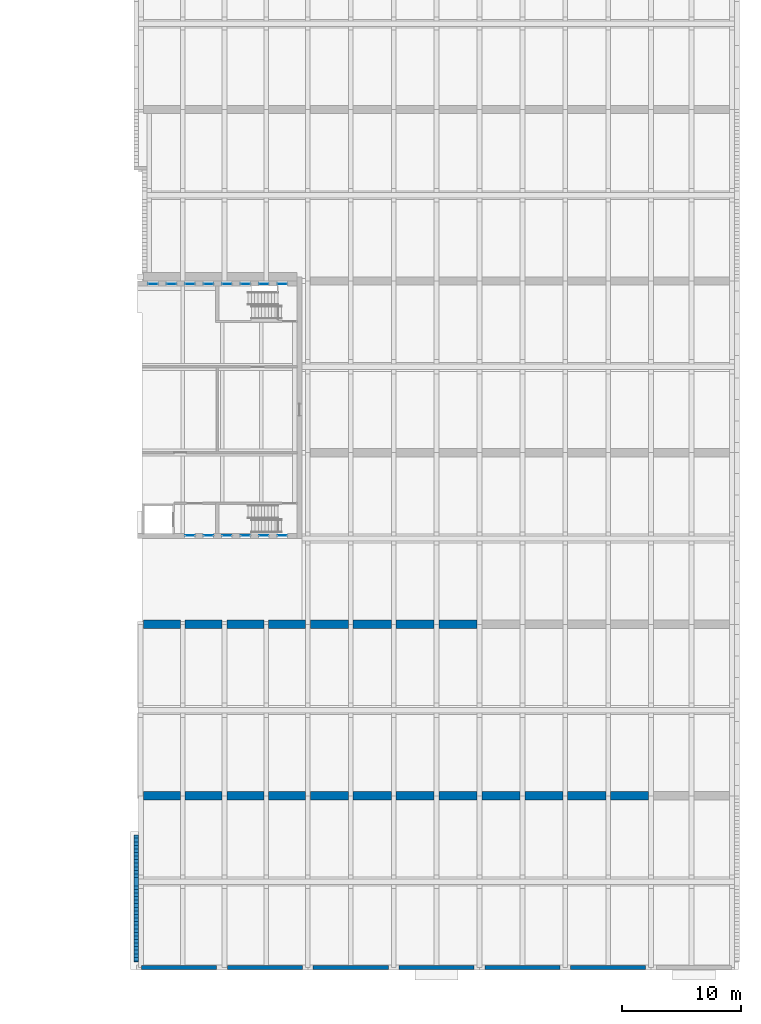
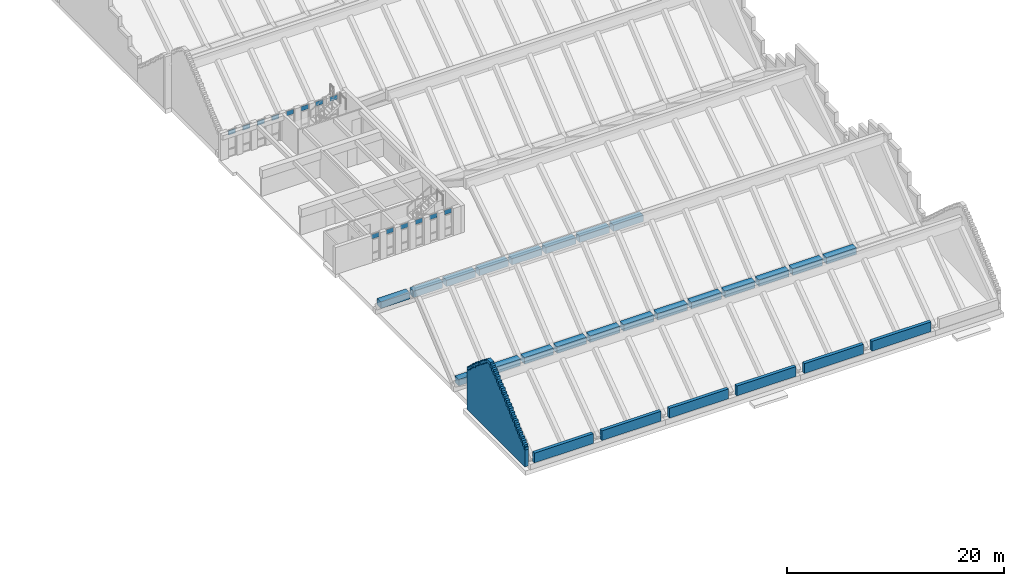
# One storey, part 22 of 31: 28 walls, 14 plates, 14 elements without a shape of their own.
"""IFC4 building model written with IfcOpenShell, lengths in metres."""

from ifc_helpers import new_model, si_unit, direction, frame, frame_2d, origin, origin_2d, place, context, subcontext, project, spatial, polyline, rectangle, outline, extrude, material, layer, layer_set, type_object, element, aggregate, save


model = new_model("IFC4")

# Units and contexts
model_context = context("Model", 3, precision=1e-05, world=origin(), true_north=direction((0.0, 1.0)))
body_context = subcontext(model_context, "Body", "Model", "MODEL_VIEW")
ifc_project = project(units=[si_unit("LENGTHUNIT", "METRE"), si_unit("AREAUNIT", "SQUARE_METRE"), si_unit("VOLUMEUNIT", "CUBIC_METRE"), si_unit("PLANEANGLEUNIT", "RADIAN"), si_unit("MASSUNIT", "GRAM", prefix="KILO")], contexts=[model_context])

# Site, building, storey
site_placement = place(None, origin())
site = spatial("IfcSite", under=ifc_project, at=site_placement, CompositionType="ELEMENT")
building_placement = place(site_placement, origin())
building = spatial("IfcBuilding", under=site, at=building_placement, Name="Vermilion Court Aquatics Centre", CompositionType="ELEMENT")
storey_placement = place(building_placement, frame((0.0, 0.0, 16.5)))
storey = spatial("IfcBuildingStorey", under=building, at=storey_placement, Name="L03", CompositionType="ELEMENT", Elevation=16.5)

# Curtain wall, plate
ifc_material_1 = material(Name="Aluminium 6063-T5", Category="aluminium")
curtain_wall_type = type_object("IfcCurtainWallType", Name="Diving Tower slot curtain wall 900 module", PredefinedType="NOTDEFINED", material=ifc_material_1)
curtain_wall_1_placement = place(storey_placement, origin())
curtain_wall_1 = element("IfcCurtainWall", 1, at=curtain_wall_1_placement, inside=storey, type_object=curtain_wall_type, Name="Diving Tower slot window north 1 L03", PredefinedType="NOTDEFINED")
ifc_material_2 = material(Name="Glazing", Category="glass")
ifc_layer_1 = layer(ifc_material_2, 0.02392578125)
ifc_layer_set_1 = layer_set([ifc_layer_1], Name="Diving Tower slot glazing panel 24")
plate_type = type_object("IfcPlateType", Name="Diving Tower slot glazing panel 24", PredefinedType="CURTAIN_PANEL", material=ifc_layer_set_1)
plate_1_placement = place(storey_placement, frame((145.39990234375, 57.35009765625, 2.47998046875), z_axis=(0.0, 0.0, 1.0), x_axis=(1.0, 0.0, 0.0)))
plate_1 = element("IfcPlate", 2, at=plate_1_placement, type_object=plate_type, Name="UCW3 panel 1.3", PredefinedType="CURTAIN_PANEL", context=body_context, shape_type="SweptSolid", body=[
    extrude(rectangle(XDim=0.780029296875, YDim=0.028076171875, at=origin_2d()), origin(), (0.0, 0.0, 1.0), 0.510009765625),
])
aggregate(curtain_wall_1, [plate_1])

curtain_wall_2_placement = place(storey_placement, origin())
curtain_wall_2 = element("IfcCurtainWall", 3, at=curtain_wall_2_placement, inside=storey, type_object=curtain_wall_type, Name="Diving Tower slot window north 2 L03", PredefinedType="NOTDEFINED")
plate_2_placement = place(storey_placement, frame((146.949951171875, 57.35009765625, 2.47998046875), z_axis=(0.0, 0.0, 1.0), x_axis=(1.0, 0.0, 0.0)))
plate_2 = element("IfcPlate", 4, at=plate_2_placement, type_object=plate_type, Name="UCW3 panel 1.3", PredefinedType="CURTAIN_PANEL", context=body_context, shape_type="SweptSolid", body=[
    extrude(rectangle(XDim=0.780029296875, YDim=0.028076171875, at=origin_2d()), origin(), (0.0, 0.0, 1.0), 0.510009765625),
])
aggregate(curtain_wall_2, [plate_2])

curtain_wall_3_placement = place(storey_placement, origin())
curtain_wall_3 = element("IfcCurtainWall", 5, at=curtain_wall_3_placement, inside=storey, type_object=curtain_wall_type, Name="Diving Tower slot window north 3 L03", PredefinedType="NOTDEFINED")
plate_3_placement = place(storey_placement, frame((148.5, 57.35009765625, 2.47998046875), z_axis=(0.0, 0.0, 1.0), x_axis=(1.0, 0.0, 0.0)))
plate_3 = element("IfcPlate", 6, at=plate_3_placement, type_object=plate_type, Name="UCW3 panel 1.3", PredefinedType="CURTAIN_PANEL", context=body_context, shape_type="SweptSolid", body=[
    extrude(rectangle(XDim=0.780029296875, YDim=0.028076171875, at=origin_2d()), origin(), (0.0, 0.0, 1.0), 0.510009765625),
])
aggregate(curtain_wall_3, [plate_3])

curtain_wall_4_placement = place(storey_placement, origin())
curtain_wall_4 = element("IfcCurtainWall", 7, at=curtain_wall_4_placement, inside=storey, type_object=curtain_wall_type, Name="Diving Tower slot window north 4 L03", PredefinedType="NOTDEFINED")
plate_4_placement = place(storey_placement, frame((150.050048828125, 57.35009765625, 2.47998046875), z_axis=(0.0, 0.0, 1.0), x_axis=(1.0, 0.0, 0.0)))
plate_4 = element("IfcPlate", 8, at=plate_4_placement, type_object=plate_type, Name="UCW3 panel 1.3", PredefinedType="CURTAIN_PANEL", context=body_context, shape_type="SweptSolid", body=[
    extrude(rectangle(XDim=0.780029296875, YDim=0.028076171875, at=origin_2d()), origin(), (0.0, 0.0, 1.0), 0.510009765625),
])
aggregate(curtain_wall_4, [plate_4])

curtain_wall_5_placement = place(storey_placement, origin())
curtain_wall_5 = element("IfcCurtainWall", 9, at=curtain_wall_5_placement, inside=storey, type_object=curtain_wall_type, Name="Diving Tower slot window north 5 L03", PredefinedType="NOTDEFINED")
plate_5_placement = place(storey_placement, frame((151.60009765625, 57.35009765625, 2.47998046875), z_axis=(0.0, 0.0, 1.0), x_axis=(1.0, 0.0, 0.0)))
plate_5 = element("IfcPlate", 10, at=plate_5_placement, type_object=plate_type, Name="UCW3 panel 1.3", PredefinedType="CURTAIN_PANEL", context=body_context, shape_type="SweptSolid", body=[
    extrude(rectangle(XDim=0.780029296875, YDim=0.028076171875, at=origin_2d()), origin(), (0.0, 0.0, 1.0), 0.510009765625),
])
aggregate(curtain_wall_5, [plate_5])

curtain_wall_6_placement = place(storey_placement, origin())
curtain_wall_6 = element("IfcCurtainWall", 11, at=curtain_wall_6_placement, inside=storey, type_object=curtain_wall_type, Name="Diving Tower slot window north 6 L03", PredefinedType="NOTDEFINED")
plate_6_placement = place(storey_placement, frame((153.14990234375, 57.35009765625, 2.47998046875), z_axis=(0.0, 0.0, 1.0), x_axis=(1.0, 0.0, 0.0)))
plate_6 = element("IfcPlate", 12, at=plate_6_placement, type_object=plate_type, Name="UCW3 panel 1.3", PredefinedType="CURTAIN_PANEL", context=body_context, shape_type="SweptSolid", body=[
    extrude(rectangle(XDim=0.780029296875, YDim=0.028076171875, at=origin_2d()), origin(), (0.0, 0.0, 1.0), 0.510009765625),
])
aggregate(curtain_wall_6, [plate_6])

curtain_wall_7_placement = place(storey_placement, origin())
curtain_wall_7 = element("IfcCurtainWall", 13, at=curtain_wall_7_placement, inside=storey, type_object=curtain_wall_type, Name="Diving Tower slot window north 7 L03", PredefinedType="NOTDEFINED")
plate_7_placement = place(storey_placement, frame((154.699951171875, 57.35009765625, 2.47998046875), z_axis=(0.0, 0.0, 1.0), x_axis=(1.0, 0.0, 0.0)))
plate_7 = element("IfcPlate", 14, at=plate_7_placement, type_object=plate_type, Name="UCW3 panel 1.3", PredefinedType="CURTAIN_PANEL", context=body_context, shape_type="SweptSolid", body=[
    extrude(rectangle(XDim=0.780029296875, YDim=0.028076171875, at=origin_2d()), origin(), (0.0, 0.0, 1.0), 0.510009765625),
])
aggregate(curtain_wall_7, [plate_7])

curtain_wall_8_placement = place(storey_placement, origin())
curtain_wall_8 = element("IfcCurtainWall", 15, at=curtain_wall_8_placement, inside=storey, type_object=curtain_wall_type, Name="Diving Tower slot window north 8 L03", PredefinedType="NOTDEFINED")
plate_8_placement = place(storey_placement, frame((156.25, 57.35009765625, 2.47998046875), z_axis=(0.0, 0.0, 1.0), x_axis=(1.0, 0.0, 0.0)))
plate_8 = element("IfcPlate", 16, at=plate_8_placement, type_object=plate_type, Name="UCW3 panel 1.3", PredefinedType="CURTAIN_PANEL", context=body_context, shape_type="SweptSolid", body=[
    extrude(rectangle(XDim=0.780029296875, YDim=0.028076171875, at=origin_2d()), origin(), (0.0, 0.0, 1.0), 0.510009765625),
])
aggregate(curtain_wall_8, [plate_8])

curtain_wall_9_placement = place(storey_placement, origin())
curtain_wall_9 = element("IfcCurtainWall", 17, at=curtain_wall_9_placement, inside=storey, type_object=curtain_wall_type, Name="Diving Tower slot window south 1 L03", PredefinedType="NOTDEFINED")
plate_9_placement = place(storey_placement, frame((148.5, 36.25, 2.47998046875), z_axis=(0.0, 0.0, 1.0), x_axis=(1.0, 0.0, 0.0)))
plate_9 = element("IfcPlate", 18, at=plate_9_placement, type_object=plate_type, Name="UCW3 panel 1.3", PredefinedType="CURTAIN_PANEL", context=body_context, shape_type="SweptSolid", body=[
    extrude(rectangle(XDim=0.780029296875, YDim=0.028076171875, at=origin_2d()), origin(), (0.0, 0.0, 1.0), 0.510009765625),
])
aggregate(curtain_wall_9, [plate_9])

curtain_wall_10_placement = place(storey_placement, origin())
curtain_wall_10 = element("IfcCurtainWall", 19, at=curtain_wall_10_placement, inside=storey, type_object=curtain_wall_type, Name="Diving Tower slot window south 2 L03", PredefinedType="NOTDEFINED")
plate_10_placement = place(storey_placement, frame((150.050048828125, 36.25, 2.47998046875), z_axis=(0.0, 0.0, 1.0), x_axis=(1.0, 0.0, 0.0)))
plate_10 = element("IfcPlate", 20, at=plate_10_placement, type_object=plate_type, Name="UCW3 panel 1.3", PredefinedType="CURTAIN_PANEL", context=body_context, shape_type="SweptSolid", body=[
    extrude(rectangle(XDim=0.780029296875, YDim=0.028076171875, at=origin_2d()), origin(), (0.0, 0.0, 1.0), 0.510009765625),
])
aggregate(curtain_wall_10, [plate_10])

curtain_wall_11_placement = place(storey_placement, origin())
curtain_wall_11 = element("IfcCurtainWall", 21, at=curtain_wall_11_placement, inside=storey, type_object=curtain_wall_type, Name="Diving Tower slot window south 3 L03", PredefinedType="NOTDEFINED")
plate_11_placement = place(storey_placement, frame((151.60009765625, 36.25, 2.47998046875), z_axis=(0.0, 0.0, 1.0), x_axis=(1.0, 0.0, 0.0)))
plate_11 = element("IfcPlate", 22, at=plate_11_placement, type_object=plate_type, Name="UCW3 panel 1.3", PredefinedType="CURTAIN_PANEL", context=body_context, shape_type="SweptSolid", body=[
    extrude(rectangle(XDim=0.780029296875, YDim=0.028076171875, at=origin_2d()), origin(), (0.0, 0.0, 1.0), 0.510009765625),
])
aggregate(curtain_wall_11, [plate_11])

curtain_wall_12_placement = place(storey_placement, origin())
curtain_wall_12 = element("IfcCurtainWall", 23, at=curtain_wall_12_placement, inside=storey, type_object=curtain_wall_type, Name="Diving Tower slot window south 4 L03", PredefinedType="NOTDEFINED")
plate_12_placement = place(storey_placement, frame((153.14990234375, 36.25, 2.47998046875), z_axis=(0.0, 0.0, 1.0), x_axis=(1.0, 0.0, 0.0)))
plate_12 = element("IfcPlate", 24, at=plate_12_placement, type_object=plate_type, Name="UCW3 panel 1.3", PredefinedType="CURTAIN_PANEL", context=body_context, shape_type="SweptSolid", body=[
    extrude(rectangle(XDim=0.780029296875, YDim=0.028076171875, at=origin_2d()), origin(), (0.0, 0.0, 1.0), 0.510009765625),
])
aggregate(curtain_wall_12, [plate_12])

curtain_wall_13_placement = place(storey_placement, origin())
curtain_wall_13 = element("IfcCurtainWall", 25, at=curtain_wall_13_placement, inside=storey, type_object=curtain_wall_type, Name="Diving Tower slot window south 5 L03", PredefinedType="NOTDEFINED")
plate_13_placement = place(storey_placement, frame((154.699951171875, 36.25, 2.47998046875), z_axis=(0.0, 0.0, 1.0), x_axis=(1.0, 0.0, 0.0)))
plate_13 = element("IfcPlate", 26, at=plate_13_placement, type_object=plate_type, Name="UCW3 panel 1.3", PredefinedType="CURTAIN_PANEL", context=body_context, shape_type="SweptSolid", body=[
    extrude(rectangle(XDim=0.780029296875, YDim=0.028076171875, at=origin_2d()), origin(), (0.0, 0.0, 1.0), 0.510009765625),
])
aggregate(curtain_wall_13, [plate_13])

curtain_wall_14_placement = place(storey_placement, origin())
curtain_wall_14 = element("IfcCurtainWall", 27, at=curtain_wall_14_placement, inside=storey, type_object=curtain_wall_type, Name="Diving Tower slot window south 6 L03", PredefinedType="NOTDEFINED")
plate_14_placement = place(storey_placement, frame((156.25, 36.25, 2.47998046875), z_axis=(0.0, 0.0, 1.0), x_axis=(1.0, 0.0, 0.0)))
plate_14 = element("IfcPlate", 28, at=plate_14_placement, type_object=plate_type, Name="UCW3 panel 1.3", PredefinedType="CURTAIN_PANEL", context=body_context, shape_type="SweptSolid", body=[
    extrude(rectangle(XDim=0.780029296875, YDim=0.028076171875, at=origin_2d()), origin(), (0.0, 0.0, 1.0), 0.510009765625),
])
aggregate(curtain_wall_14, [plate_14])

# Walls
ifc_material_3 = material(Name="Brick masonry", Category="masonry")
ifc_layer_2 = layer(ifc_material_3, 0.39990234375)
ifc_layer_set_2 = layer_set([ifc_layer_2], Name="Podium bell gable wall 400")
wall_type_1 = type_object("IfcWallType", Name="Podium bell gable wall 400", PredefinedType="SOLIDWALL", material=ifc_layer_set_2)
wall_1_placement = place(storey_placement, frame((144.0, 0.449951171875, 0.0), z_axis=(0.0, 0.0, 1.0), x_axis=(0.0, 1.0, 0.0)))
element("IfcWall", 29, at=wall_1_placement, inside=storey, type_object=wall_type_1, Name="Bell gable wall", PredefinedType="SOLIDWALL", context=body_context, shape_type="SweptSolid", body=[
    extrude(outline(polyline([(0.0, 0.0), (10.650146484375, 0.0), (10.64990234375, 4.574951171875), (10.35009765625, 4.574951171875), (10.35009765625, 4.800048828125), (10.050048828125, 4.800048828125), (10.050048828125, 5.10009765625), (9.75, 5.10009765625), (9.75, 5.39990234375), (9.449951171875, 5.39990234375), (9.449951171875, 5.625), (9.14990234375, 5.625), (9.14990234375, 5.925048828125), (8.85009765625, 5.925048828125), (8.85009765625, 6.14990234375), (8.550048828125, 6.14990234375), (8.550048828125, 6.375), (8.25, 6.375), (8.25, 6.675048828125), (7.949951171875, 6.675048828125), (7.949951171875, 6.89990234375), (7.64990234375, 6.89990234375), (7.64990234375, 7.125), (7.35009765625, 7.125), (7.35009765625, 7.35009765625), (7.050048828125, 7.35009765625), (7.050048828125, 7.574951171875), (6.75, 7.574951171875), (6.75, 7.574951171875), (6.449951171875, 7.574951171875), (6.449951171875, 7.35009765625), (6.14990234375, 7.35009765625), (6.14990234375, 7.125), (5.85009765625, 7.125), (5.85009765625, 6.89990234375), (5.550048828125, 6.89990234375), (5.550048828125, 6.675048828125), (5.25, 6.675048828125), (5.25, 6.375), (4.949951171875, 6.375), (4.949951171875, 6.14990234375), (4.64990234375, 6.14990234375), (4.64990234375, 5.925048828125), (4.35009765625, 5.925048828125), (4.35009765625, 5.625), (4.050048828125, 5.625), (4.050048828125, 5.39990234375), (3.75, 5.39990234375), (3.75, 5.10009765625), (3.449951171875, 5.10009765625), (3.449951171875, 4.800048828125), (3.14990234375, 4.800048828125), (3.14990234375, 4.574951171875), (2.85009765625, 4.574951171875), (2.85009765625, 4.27490234375), (2.550048828125, 4.27490234375), (2.550048828125, 3.97509765625), (2.25, 3.97509765625), (2.25, 3.75), (1.949951171875, 3.75), (1.949951171875, 3.449951171875), (1.64990234375, 3.449951171875), (1.64990234375, 3.14990234375), (1.35009765625, 3.14990234375), (1.35009765625, 2.925048828125), (1.050048828125, 2.925048828125), (1.050048828125, 2.625), (0.75, 2.625), (0.75, 2.39990234375), (0.449951171875, 2.39990234375), (0.449951171875, 2.10009765625), (0.14990234375, 2.10009765625), (0.14990234375, 1.875), (0.0, 1.875), (0.0, 0.0)])), frame((0.0, 0.199951171875, 0.0), z_axis=(0.0, -1.0, 0.0), x_axis=(1.0, 0.0, 0.0)), (0.0, 0.0, 1.0), 0.39990234375),
])
ifc_material_4 = material(Name="Brick masonry", Category="masonry")
ifc_layer_3 = layer(ifc_material_4, 0.35009765625)
ifc_layer_set_3 = layer_set([ifc_layer_3], Name="Podium parapet brick wall 350")
wall_type_2 = type_object("IfcWallType", Name="Podium parapet brick wall 350", PredefinedType="PARAPET", material=ifc_layer_set_3)
for number, where, z_axis, x_axis, name in (
    (30, (144.449951171875, 0.0, 0.60009765625), (0.0, 0.0, 1.0), (1.0, 0.0, 0.0), "Roof parapet"),
    (31, (151.64990234375, 0.0, 0.60009765625), (0.0, 0.0, 1.0), (1.0, 0.0, 0.0), "Roof parapet"),
):
    element("IfcWall", number, at=place(storey_placement, frame(where, z_axis=z_axis, x_axis=x_axis)), inside=storey, type_object=wall_type_2, Name=name, PredefinedType="PARAPET", context=body_context, shape_type="SweptSolid", body=[
        extrude(rectangle(XDim=6.300048828125, YDim=0.35009765625, at=frame_2d((3.14990234375, 0.0))), origin(), (0.0, 0.0, 1.0), 1.099853515625),
    ])
wall_2_placement = place(storey_placement, frame((158.85009765625, 0.0, 0.60009765625), z_axis=(0.0, 0.0, 1.0), x_axis=(1.0, 0.0, 0.0)))
element("IfcWall", 32, at=wall_2_placement, inside=storey, type_object=wall_type_2, Name="Roof parapet", PredefinedType="PARAPET", context=body_context, shape_type="SweptSolid", body=[
    extrude(rectangle(XDim=6.2998046875, YDim=0.35009765625, at=frame_2d((3.14990234375, 0.0))), origin(), (0.0, 0.0, 1.0), 1.099853515625),
])
for number, where, z_axis, x_axis, name in (
    (33, (166.050048828125, 0.0, 0.60009765625), (0.0, 0.0, 1.0), (1.0, 0.0, 0.0), "Roof parapet"),
    (34, (173.25, 0.0, 0.60009765625), (0.0, 0.0, 1.0), (1.0, 0.0, 0.0), "Roof parapet"),
    (35, (180.449951171875, 0.0, 0.60009765625), (0.0, 0.0, 1.0), (1.0, 0.0, 0.0), "Roof parapet"),
):
    element("IfcWall", number, at=place(storey_placement, frame(where, z_axis=z_axis, x_axis=x_axis)), inside=storey, type_object=wall_type_2, Name=name, PredefinedType="PARAPET", context=body_context, shape_type="SweptSolid", body=[
        extrude(rectangle(XDim=6.300048828125, YDim=0.35009765625, at=frame_2d((3.14990234375, 0.0))), origin(), (0.0, 0.0, 1.0), 1.099853515625),
    ])
ifc_material_5 = material(Name="Terracotta cladding", Category="masonry")
ifc_layer_4 = layer(ifc_material_5, 0.39990234375)
ifc_layer_set_4 = layer_set([ifc_layer_4], Name="Podium terracotta gable coping 400")
wall_type_3 = type_object("IfcWallType", Name="Podium terracotta gable coping 400", PredefinedType="PARAPET", material=ifc_layer_set_4)
wall_3_placement = place(storey_placement, frame((144.0, 0.449951171875, 0.0), z_axis=(0.0, 0.0, 1.0), x_axis=(0.0, 1.0, 0.0)))
element("IfcWall", 36, at=wall_3_placement, inside=storey, type_object=wall_type_3, Name="Terracotta gable coping", PredefinedType="PARAPET", context=body_context, shape_type="SweptSolid", body=[
    extrude(outline(polyline([(0.0, 1.875), (0.14990234375, 1.875), (0.14990234375, 2.10009765625), (0.449951171875, 2.10009765625), (0.449951171875, 2.39990234375), (0.75, 2.39990234375), (0.75, 2.625), (1.050048828125, 2.625), (1.050048828125, 2.925048828125), (1.35009765625, 2.925048828125), (1.35009765625, 3.14990234375), (1.64990234375, 3.14990234375), (1.64990234375, 3.449951171875), (1.949951171875, 3.449951171875), (1.949951171875, 3.75), (2.25, 3.75), (2.25, 3.97509765625), (2.550048828125, 3.97509765625), (2.550048828125, 4.27490234375), (2.85009765625, 4.27490234375), (2.85009765625, 4.574951171875), (3.14990234375, 4.574951171875), (3.14990234375, 4.800048828125), (3.449951171875, 4.800048828125), (3.449951171875, 5.10009765625), (3.75, 5.10009765625), (3.75, 5.39990234375), (4.050048828125, 5.39990234375), (4.050048828125, 5.625), (4.35009765625, 5.625), (4.35009765625, 5.925048828125), (4.64990234375, 5.925048828125), (4.64990234375, 6.14990234375), (4.949951171875, 6.14990234375), (4.949951171875, 6.375), (5.25, 6.375), (5.25, 6.675048828125), (5.550048828125, 6.675048828125), (5.550048828125, 6.89990234375), (5.85009765625, 6.89990234375), (5.85009765625, 7.125), (6.14990234375, 7.125), (6.14990234375, 7.35009765625), (6.449951171875, 7.35009765625), (6.449951171875, 7.574951171875), (6.75, 7.574951171875), (6.75, 7.574951171875), (7.050048828125, 7.574951171875), (7.050048828125, 7.35009765625), (7.35009765625, 7.35009765625), (7.35009765625, 7.125), (7.64990234375, 7.125), (7.64990234375, 6.89990234375), (7.949951171875, 6.89990234375), (7.949951171875, 6.675048828125), (8.25, 6.675048828125), (8.25, 6.375), (8.550048828125, 6.375), (8.550048828125, 6.14990234375), (8.85009765625, 6.14990234375), (8.85009765625, 5.925048828125), (9.14990234375, 5.925048828125), (9.14990234375, 5.625), (9.449951171875, 5.625), (9.449951171875, 5.39990234375), (9.75, 5.39990234375), (9.75, 5.10009765625), (10.050048828125, 5.10009765625), (10.050048828125, 4.800048828125), (10.35009765625, 4.800048828125), (10.35009765625, 4.574951171875), (10.64990234375, 4.574951171875), (10.64990234375, 4.875), (10.39990234375, 4.875), (10.39990234375, 5.10009765625), (10.10009765625, 5.10009765625), (10.10009765625, 5.39990234375), (9.800048828125, 5.39990234375), (9.800048828125, 5.699951171875), (9.5, 5.699951171875), (9.5, 5.925048828125), (9.199951171875, 5.925048828125), (9.199951171875, 6.22509765625), (8.89990234375, 6.22509765625), (8.89990234375, 6.449951171875), (8.60009765625, 6.449951171875), (8.60009765625, 6.675048828125), (8.300048828125, 6.675048828125), (8.300048828125, 6.97509765625), (8.0, 6.97509765625), (8.0, 7.199951171875), (7.699951171875, 7.199951171875), (7.699951171875, 7.425048828125), (7.39990234375, 7.425048828125), (7.39990234375, 7.64990234375), (7.10009765625, 7.64990234375), (7.10009765625, 7.875), (6.699951171875, 7.875), (6.699951171875, 7.875), (6.39990234375, 7.875), (6.39990234375, 7.64990234375), (6.10009765625, 7.64990234375), (6.10009765625, 7.425048828125), (5.800048828125, 7.425048828125), (5.800048828125, 7.199951171875), (5.5, 7.199951171875), (5.5, 6.97509765625), (5.199951171875, 6.97509765625), (5.199951171875, 6.675048828125), (4.89990234375, 6.675048828125), (4.89990234375, 6.449951171875), (4.60009765625, 6.449951171875), (4.60009765625, 6.22509765625), (4.300048828125, 6.22509765625), (4.300048828125, 5.925048828125), (4.0, 5.925048828125), (4.0, 5.699951171875), (3.699951171875, 5.699951171875), (3.699951171875, 5.39990234375), (3.39990234375, 5.39990234375), (3.39990234375, 5.10009765625), (3.10009765625, 5.10009765625), (3.10009765625, 4.875), (2.800048828125, 4.875), (2.800048828125, 4.574951171875), (2.5, 4.574951171875), (2.5, 4.27490234375), (2.199951171875, 4.27490234375), (2.199951171875, 4.050048828125), (1.89990234375, 4.050048828125), (1.89990234375, 3.75), (1.60009765625, 3.75), (1.60009765625, 3.449951171875), (1.300048828125, 3.449951171875), (1.300048828125, 3.22509765625), (1.0, 3.22509765625), (1.0, 2.925048828125), (0.699951171875, 2.925048828125), (0.699951171875, 2.699951171875), (0.39990234375, 2.699951171875), (0.39990234375, 2.39990234375), (0.10009765625, 2.39990234375), (0.10009765625, 2.175048828125), (0.0, 2.175048828125), (0.0, 1.875)])), frame((0.0, 0.199951171875, 0.0), z_axis=(0.0, -1.0, 0.0), x_axis=(1.0, 0.0, 0.0)), (0.0, 0.0, 1.0), 0.39990234375),
])
ifc_material_6 = material(Name="Brick masonry", Category="masonry")
ifc_layer_5 = layer(ifc_material_6, 0.699951171875)
ifc_layer_set_5 = layer_set([ifc_layer_5], Name="Podium valley upstand wall 700")
wall_type_4 = type_object("IfcWallType", Name="Podium valley upstand wall 700", PredefinedType="SOLIDWALL", material=ifc_layer_set_5)
for number, where, z_axis, x_axis, name in (
    (37, (144.60009765625, 14.39990234375, 0.60009765625), (0.0, 0.0, 1.0), (1.0, 0.0, 0.0), "Valley upstand wall"),
    (38, (148.10009765625, 14.39990234375, 0.60009765625), (0.0, 0.0, 1.0), (1.0, 0.0, 0.0), "Valley upstand wall"),
    (39, (151.60009765625, 14.39990234375, 0.60009765625), (0.0, 0.0, 1.0), (1.0, 0.0, 0.0), "Valley upstand wall"),
    (40, (155.10009765625, 14.39990234375, 0.60009765625), (0.0, 0.0, 1.0), (1.0, 0.0, 0.0), "Valley upstand wall"),
):
    element("IfcWall", number, at=place(storey_placement, frame(where, z_axis=z_axis, x_axis=x_axis)), inside=storey, type_object=wall_type_4, Name=name, PredefinedType="SOLIDWALL", context=body_context, shape_type="SweptSolid", body=[
        extrude(rectangle(XDim=3.099853515625, YDim=0.699951171875, at=frame_2d((1.5498046875, 0.0))), origin(), (0.0, 0.0, 1.0), 0.7392578125),
    ])
for number, where, z_axis, x_axis, name in (
    (41, (158.60009765625, 14.39990234375, 0.60009765625), (0.0, 0.0, 1.0), (1.0, 0.0, 0.0), "Valley upstand wall"),
    (42, (162.199951171875, 14.39990234375, 0.60009765625), (0.0, 0.0, 1.0), (1.0, 0.0, 0.0), "Valley upstand wall"),
    (43, (165.800048828125, 14.39990234375, 0.60009765625), (0.0, 0.0, 1.0), (1.0, 0.0, 0.0), "Valley upstand wall"),
):
    element("IfcWall", number, at=place(storey_placement, frame(where, z_axis=z_axis, x_axis=x_axis)), inside=storey, type_object=wall_type_4, Name=name, PredefinedType="SOLIDWALL", context=body_context, shape_type="SweptSolid", body=[
        extrude(rectangle(XDim=3.199951171875, YDim=0.699951171875, at=frame_2d((1.60009765625, 0.0))), origin(), (0.0, 0.0, 1.0), 0.7392578125),
    ])
wall_4_placement = place(storey_placement, frame((169.39990234375, 14.39990234375, 0.60009765625), z_axis=(0.0, 0.0, 1.0), x_axis=(1.0, 0.0, 0.0)))
element("IfcWall", 44, at=wall_4_placement, inside=storey, type_object=wall_type_4, Name="Valley upstand wall", PredefinedType="SOLIDWALL", context=body_context, shape_type="SweptSolid", body=[
    extrude(rectangle(XDim=3.2001953125, YDim=0.699951171875, at=frame_2d((1.60009765625, 0.0))), origin(), (0.0, 0.0, 1.0), 0.7392578125),
])
for number, where, z_axis, x_axis, name in (
    (45, (173.0, 14.39990234375, 0.60009765625), (0.0, 0.0, 1.0), (1.0, 0.0, 0.0), "Valley upstand wall"),
    (46, (176.60009765625, 14.39990234375, 0.60009765625), (0.0, 0.0, 1.0), (1.0, 0.0, 0.0), "Valley upstand wall"),
    (47, (180.199951171875, 14.39990234375, 0.60009765625), (0.0, 0.0, 1.0), (1.0, 0.0, 0.0), "Valley upstand wall"),
    (48, (183.800048828125, 14.39990234375, 0.60009765625), (0.0, 0.0, 1.0), (1.0, 0.0, 0.0), "Valley upstand wall"),
):
    element("IfcWall", number, at=place(storey_placement, frame(where, z_axis=z_axis, x_axis=x_axis)), inside=storey, type_object=wall_type_4, Name=name, PredefinedType="SOLIDWALL", context=body_context, shape_type="SweptSolid", body=[
        extrude(rectangle(XDim=3.199951171875, YDim=0.699951171875, at=frame_2d((1.60009765625, 0.0))), origin(), (0.0, 0.0, 1.0), 0.7392578125),
    ])
for number, where, z_axis, x_axis, name in (
    (49, (144.60009765625, 28.800048828125, 0.60009765625), (0.0, 0.0, 1.0), (1.0, 0.0, 0.0), "Valley upstand wall"),
    (50, (148.10009765625, 28.800048828125, 0.60009765625), (0.0, 0.0, 1.0), (1.0, 0.0, 0.0), "Valley upstand wall"),
    (51, (151.60009765625, 28.800048828125, 0.60009765625), (0.0, 0.0, 1.0), (1.0, 0.0, 0.0), "Valley upstand wall"),
    (52, (155.10009765625, 28.800048828125, 0.60009765625), (0.0, 0.0, 1.0), (1.0, 0.0, 0.0), "Valley upstand wall"),
):
    element("IfcWall", number, at=place(storey_placement, frame(where, z_axis=z_axis, x_axis=x_axis)), inside=storey, type_object=wall_type_4, Name=name, PredefinedType="SOLIDWALL", context=body_context, shape_type="SweptSolid", body=[
        extrude(rectangle(XDim=3.099853515625, YDim=0.699951171875, at=frame_2d((1.5498046875, 0.0))), origin(), (0.0, 0.0, 1.0), 0.72998046875),
    ])
for number, where, z_axis, x_axis, name in (
    (53, (158.60009765625, 28.800048828125, 0.60009765625), (0.0, 0.0, 1.0), (1.0, 0.0, 0.0), "Valley upstand wall"),
    (54, (162.199951171875, 28.800048828125, 0.60009765625), (0.0, 0.0, 1.0), (1.0, 0.0, 0.0), "Valley upstand wall"),
    (55, (165.800048828125, 28.800048828125, 0.60009765625), (0.0, 0.0, 1.0), (1.0, 0.0, 0.0), "Valley upstand wall"),
):
    element("IfcWall", number, at=place(storey_placement, frame(where, z_axis=z_axis, x_axis=x_axis)), inside=storey, type_object=wall_type_4, Name=name, PredefinedType="SOLIDWALL", context=body_context, shape_type="SweptSolid", body=[
        extrude(rectangle(XDim=3.199951171875, YDim=0.699951171875, at=frame_2d((1.60009765625, 0.0))), origin(), (0.0, 0.0, 1.0), 0.72998046875),
    ])
wall_5_placement = place(storey_placement, frame((169.39990234375, 28.800048828125, 0.60009765625), z_axis=(0.0, 0.0, 1.0), x_axis=(1.0, 0.0, 0.0)))
element("IfcWall", 56, at=wall_5_placement, inside=storey, type_object=wall_type_4, Name="Valley upstand wall", PredefinedType="SOLIDWALL", context=body_context, shape_type="SweptSolid", body=[
    extrude(rectangle(XDim=3.2001953125, YDim=0.699951171875, at=frame_2d((1.60009765625, 0.0))), origin(), (0.0, 0.0, 1.0), 0.72998046875),
])

save(model, "model.ifc")
